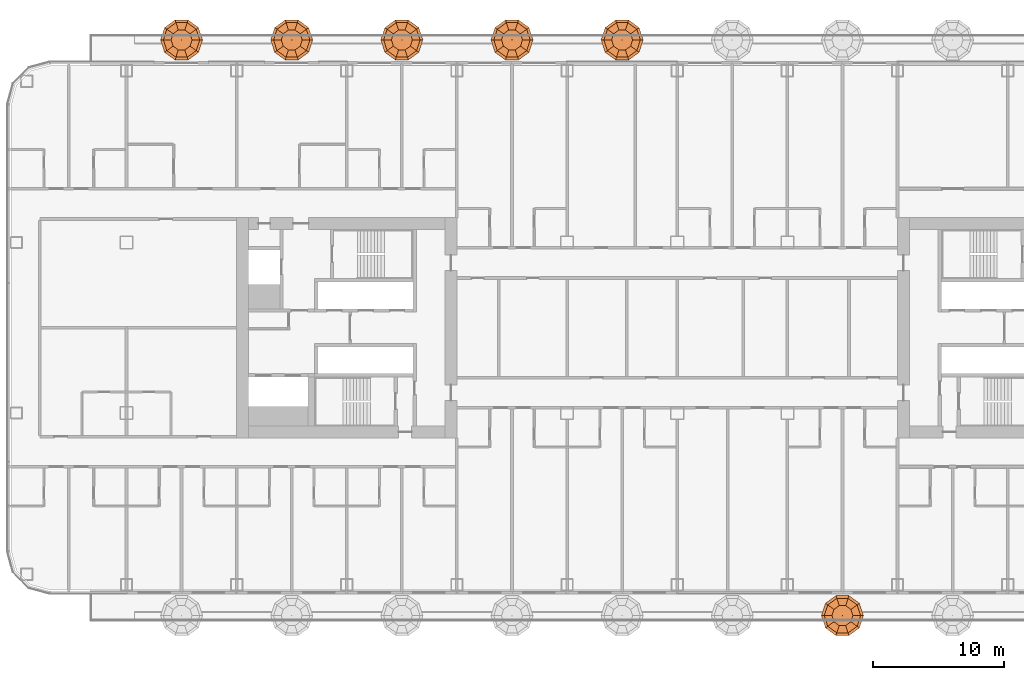
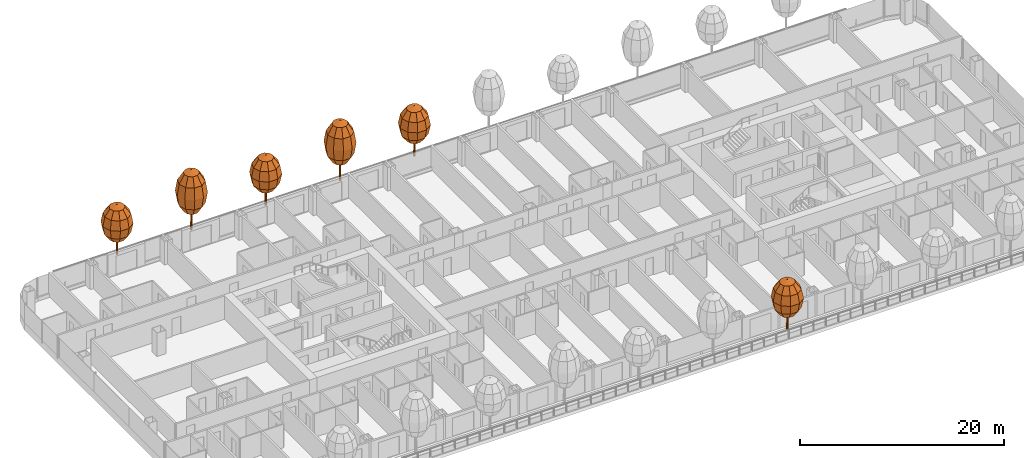
# One storey, part 35 of 37: 6 geographic elements.
"""IFC4 building model written with IfcOpenShell, lengths in metres."""

import ifcopenshell
import ifcopenshell.guid

model = None  # the IFC model being written
_history = None  # IfcOwnerHistory: only IFC2X3 demands one
_inside = {}  # id of a spatial element -> (the spatial element, [elements in it])
_under = {}  # id of a project, library or spatial element -> (it, [spatial elements below it])
_declared = {}  # id of a project -> (the project, [libraries it declares])
_typed = {}  # id of a type object -> (the type object, [elements of that type])
_made_of = {}  # id of a material, layer set ... -> (it, [elements and type objects made of it])


def new_model(schema):
    """Start an empty IFC model of exactly this schema.

    Asked for "IFC4X3", IfcOpenShell would pick the latest addendum, in which some entities
    have other attributes; the version numbers below select the first issue.
    IFC2X3 requires an IfcOwnerHistory on every rooted entity: one is made here for all.
    """
    global model, _history
    if schema == "IFC4X3":
        model = ifcopenshell.file(schema_version=(4, 3, 0, 0))
    else:
        model = ifcopenshell.file(schema=schema)
    _inside.clear()
    _under.clear()
    _declared.clear()
    _typed.clear()
    _made_of.clear()
    _history = None
    if model.schema == "IFC2X3":
        org = make("IfcOrganization", Name="unknown")
        user = make(
            "IfcPersonAndOrganization",
            ThePerson=make("IfcPerson", FamilyName="unknown"),
            TheOrganization=org,
        )
        app = make(
            "IfcApplication",
            ApplicationDeveloper=org,
            Version="unknown",
            ApplicationFullName="unknown",
            ApplicationIdentifier="unknown",
        )
        _history = make(
            "IfcOwnerHistory",
            OwningUser=user,
            OwningApplication=app,
            ChangeAction="ADDED",
            CreationDate=0,
        )
    return model


def make(cls, **values):
    """One entity of the class cls with the attributes given. An attribute that is None is left unset."""
    return model.create_entity(
        cls, **{name: value for name, value in values.items() if value is not None}
    )


def rooted(cls, **values):
    """An entity with a GlobalId (a new one), such as an element, a storey or a relation."""
    return make(cls, GlobalId=ifcopenshell.guid.new(), OwnerHistory=_history, **values)


def si_unit(unit_type, name, prefix=None):
    """IfcSIUnit, for example si_unit("LENGTHUNIT", "METRE", prefix="MILLI")."""
    return make("IfcSIUnit", UnitType=unit_type, Prefix=prefix, Name=name)


def assignment(units):
    """IfcUnitAssignment: the units of a project."""
    return None if units is None else make("IfcUnitAssignment", Units=units)


def point(xyz):
    """IfcCartesianPoint."""
    return None if xyz is None else make("IfcCartesianPoint", Coordinates=xyz)


def direction(xyz):
    """IfcDirection."""
    return None if xyz is None else make("IfcDirection", DirectionRatios=xyz)


def frame(location, z_axis=None, x_axis=None):
    """IfcAxis2Placement3D, a coordinate frame: its origin and axes. An axis left out is left unset."""
    return make(
        "IfcAxis2Placement3D",
        Location=point(location),
        Axis=direction(z_axis),
        RefDirection=direction(x_axis),
    )


def origin():
    """The frame at (0, 0, 0) with its axes left unset."""
    return frame((0.0, 0.0, 0.0))


def place(relative_to, where):
    """IfcLocalPlacement: puts the frame where relative to a parent placement (None: the world)."""
    return make(
        "IfcLocalPlacement", PlacementRelTo=relative_to, RelativePlacement=where
    )


def context(
    kind, dimensions, precision=None, world=None, true_north=None, identifier=None
):
    """IfcGeometricRepresentationContext, for example the 3D "Model" context."""
    return make(
        "IfcGeometricRepresentationContext",
        ContextIdentifier=identifier,
        ContextType=kind,
        CoordinateSpaceDimension=dimensions,
        Precision=precision,
        WorldCoordinateSystem=world,
        TrueNorth=true_north,
    )


def subcontext(parent, identifier, kind, view, scale=None):
    """IfcGeometricRepresentationSubContext, for example "Body" below "Model"."""
    return make(
        "IfcGeometricRepresentationSubContext",
        ContextIdentifier=identifier,
        ContextType=kind,
        ParentContext=parent,
        TargetScale=scale,
        TargetView=view,
    )


def project(units=None, contexts=None):
    """IfcProject with its units and contexts."""
    return rooted(
        "IfcProject",
        Name="project",
        RepresentationContexts=contexts,
        UnitsInContext=assignment(units),
    )


def spatial(cls, under=None, at=None, **own):
    """A site, building, storey or space (cls), placed at a placement, below another one or the project."""
    s = rooted(cls, ObjectPlacement=at, **own)
    if under is not None:
        _under.setdefault(under.id(), (under, []))[1].append(s)
    return s


def point_list(points):
    """IfcCartesianPointList2D or 3D."""
    cls = (
        "IfcCartesianPointList2D" if len(points[0]) == 2 else "IfcCartesianPointList3D"
    )
    return make(cls, CoordList=points)


def triangles(points, corners, closed=None, point_numbers=None):
    """IfcTriangulatedFaceSet: each triangle names its three corners, points numbered from 1."""
    return make(
        "IfcTriangulatedFaceSet",
        Coordinates=point_list(points),
        Closed=closed,
        CoordIndex=corners,
        PnIndex=point_numbers,
    )


def shape(context_of_items, identifier, shape_type, items):
    """IfcShapeRepresentation: the items that make up one representation, for example the "Body"."""
    return make(
        "IfcShapeRepresentation",
        ContextOfItems=context_of_items,
        RepresentationIdentifier=identifier,
        RepresentationType=shape_type,
        Items=items,
    )


def material(Name=None, Category=None):
    """IfcMaterial."""
    return make("IfcMaterial", Name=Name, Category=Category)


def made_of(thing, what):
    """Note that an element or type object is made of a material, layer set ...; save() writes the relation."""
    if what is not None:
        _made_of.setdefault(what.id(), (what, []))[1].append(thing)
    return thing


def type_object(cls, material=None, **own):
    """A type object (cls), such as IfcWallType, which elements share."""
    return made_of(rooted(cls, **own), material)


def element(
    cls,
    number,
    at=None,
    inside=None,
    cuts=None,
    type_object=None,
    material=None,
    context=None,
    identifier="Body",
    shape_type=None,
    held_by="IfcProductDefinitionShape",
    body=None,
    shapes=None,
    **own,
):
    """One element of the class cls, such as IfcWall. Its Tag is "e" and its number.

    at: its placement. inside: the storey or other place that contains it. cuts: it is an
    opening in that element (IfcRelVoidsElement). A single representation is given by context,
    identifier, shape_type and body (its items); several are given by shapes. held_by: the class
    of the entity that holds the representations. save() writes the other relations.
    """
    e = rooted(cls, Tag="e%d" % number, ObjectPlacement=at, **own)
    if body is not None:
        shapes = [shape(context, identifier, shape_type, body)]
    if shapes is not None:
        e.Representation = make(held_by, Representations=shapes)
    if inside is not None:
        _inside.setdefault(inside.id(), (inside, []))[1].append(e)
    if cuts is not None:
        rooted(
            "IfcRelVoidsElement", RelatingBuildingElement=cuts, RelatedOpeningElement=e
        )
    if type_object is not None:
        _typed.setdefault(type_object.id(), (type_object, []))[1].append(e)
    return made_of(e, material)


def aggregate(whole, parts):
    """IfcRelAggregates: a whole, such as a stair, and the parts it consists of."""
    return rooted("IfcRelAggregates", RelatingObject=whole, RelatedObjects=parts)


def save(model, path):
    """Write the relations noted so far, then the file.

    IfcRelAggregates (storeys below a building ...), IfcRelContainedInSpatialStructure (elements
    in a storey), IfcRelDefinesByType, IfcRelAssociatesMaterial and IfcRelDeclares: one each for
    every whole, place, type object, material and project.
    """
    for whole, parts in _under.values():
        aggregate(whole, parts)
    for where, things in _inside.values():
        rooted(
            "IfcRelContainedInSpatialStructure",
            RelatedElements=things,
            RelatingStructure=where,
        )
    for kind, things in _typed.values():
        rooted("IfcRelDefinesByType", RelatedObjects=things, RelatingType=kind)
    for what, things in _made_of.values():
        rooted("IfcRelAssociatesMaterial", RelatedObjects=things, RelatingMaterial=what)
    for by, libraries in _declared.values():
        rooted("IfcRelDeclares", RelatingContext=by, RelatedDefinitions=libraries)
    model.write(path)


model = new_model("IFC4")

# Units and contexts
model_context = context("Model", 3, precision=1e-05, world=origin(), true_north=direction((0.0, 1.0)))
body_context = subcontext(model_context, "Body", "Model", "MODEL_VIEW")
ifc_project = project(units=[si_unit("LENGTHUNIT", "METRE"), si_unit("AREAUNIT", "SQUARE_METRE"), si_unit("VOLUMEUNIT", "CUBIC_METRE"), si_unit("PLANEANGLEUNIT", "RADIAN"), si_unit("MASSUNIT", "GRAM", prefix="KILO")], contexts=[model_context])

# Site, building, storey
site_placement = place(None, origin())
site = spatial("IfcSite", under=ifc_project, at=site_placement, CompositionType="ELEMENT")
building_placement = place(site_placement, origin())
building = spatial("IfcBuilding", under=site, at=building_placement, Name="Hakoniwa Tower and Hamabe Station Hall", CompositionType="ELEMENT")
storey_placement = place(building_placement, frame((0.0, 0.0, 39.0)))
storey = spatial("IfcBuildingStorey", under=building, at=storey_placement, Name="L10", CompositionType="ELEMENT", Elevation=39.0)

# Geographic elements
ifc_material_1 = material(Name="Tree foliage")
geographic_element_type_1 = type_object("IfcGeographicElementType", Name="Japanese maple 7.2 m", PredefinedType="USERDEFINED", material=ifc_material_1)
geographic_element_1_placement = place(storey_placement, frame((-29.39990234375, 21.949951171875, 0.89990234375)))
element("IfcGeographicElement", 1, at=geographic_element_1_placement, inside=storey, type_object=geographic_element_type_1, Name="Japanese maple 7-2 m", ObjectType="TREE", PredefinedType="USERDEFINED", context=body_context, shape_type="Tessellation", body=[
    triangles([(0.125, 0.0, 0.0), (0.08837890625, 0.08837890625, 0.0), (0.0, 0.125, 0.0), (-0.08837890625, 0.08837890625, 0.0), (-0.125, 0.0, 0.0), (-0.08837890625, -0.08837890625, 0.0), (0.0, -0.125, 0.0), (0.08837890625, -0.08837890625, 0.0), (0.074951171875, 0.0, 4.348876953125), (0.052978515625, 0.052978515625, 4.348876953125), (0.0, 0.074951171875, 4.348876953125), (-0.052978515625, 0.052978515625, 4.348876953125), (-0.074951171875, 0.0, 4.348876953125), (-0.052978515625, -0.052978515625, 4.348876953125), (0.0, -0.074951171875, 4.348876953125), (0.052978515625, -0.052978515625, 4.348876953125), (0.0, 0.0, 0.0), (0.0, 0.0, 4.348876953125)], [[1, 2, 10], [1, 10, 9], [17, 2, 1], [18, 9, 10], [2, 3, 11], [2, 11, 10], [17, 3, 2], [18, 10, 11], [3, 4, 12], [3, 12, 11], [17, 4, 3], [18, 11, 12], [4, 5, 13], [4, 13, 12], [17, 5, 4], [18, 12, 13], [5, 6, 14], [5, 14, 13], [17, 6, 5], [18, 13, 14], [6, 7, 15], [6, 15, 14], [17, 7, 6], [18, 14, 15], [7, 8, 16], [7, 16, 15], [17, 8, 7], [18, 15, 16], [8, 1, 9], [8, 9, 16], [17, 1, 8], [18, 16, 9]], closed=True),
    triangles([(0.0, 0.0, 2.015869140625), (0.800048828125, 0.0, 2.36328125), (0.647216796875, 0.47021484375, 2.36328125), (0.247314453125, 0.7607421875, 2.36328125), (-0.247314453125, 0.7607421875, 2.36328125), (-0.647216796875, 0.47021484375, 2.36328125), (-0.800048828125, 0.0, 2.36328125), (-0.647216796875, -0.47021484375, 2.36328125), (-0.247314453125, -0.7607421875, 2.36328125), (0.247314453125, -0.7607421875, 2.36328125), (0.647216796875, -0.47021484375, 2.36328125), (1.385498046875, 0.0, 3.31201171875), (1.12109375, 0.814453125, 3.31201171875), (0.42822265625, 1.31787109375, 3.31201171875), (-0.42822265625, 1.31787109375, 3.31201171875), (-1.12109375, 0.814453125, 3.31201171875), (-1.385498046875, 0.0, 3.31201171875), (-1.12109375, -0.814453125, 3.31201171875), (-0.42822265625, -1.31787109375, 3.31201171875), (0.42822265625, -1.31787109375, 3.31201171875), (1.12109375, -0.814453125, 3.31201171875), (1.60009765625, 0.0, 4.60791015625), (1.29443359375, 0.9404296875, 4.60791015625), (0.494384765625, 1.521728515625, 4.60791015625), (-0.494384765625, 1.521728515625, 4.60791015625), (-1.29443359375, 0.9404296875, 4.60791015625), (-1.60009765625, 0.0, 4.60791015625), (-1.29443359375, -0.9404296875, 4.60791015625), (-0.494384765625, -1.521728515625, 4.60791015625), (0.494384765625, -1.521728515625, 4.60791015625), (1.29443359375, -0.9404296875, 4.60791015625), (1.385498046875, 0.0, 5.904052734375), (1.12109375, 0.814453125, 5.904052734375), (0.42822265625, 1.31787109375, 5.904052734375), (-0.42822265625, 1.31787109375, 5.904052734375), (-1.12109375, 0.814453125, 5.904052734375), (-1.385498046875, 0.0, 5.904052734375), (-1.12109375, -0.814453125, 5.904052734375), (-0.42822265625, -1.31787109375, 5.904052734375), (0.42822265625, -1.31787109375, 5.904052734375), (1.12109375, -0.814453125, 5.904052734375), (0.800048828125, 0.0, 6.852783203125), (0.647216796875, 0.47021484375, 6.852783203125), (0.247314453125, 0.7607421875, 6.852783203125), (-0.247314453125, 0.7607421875, 6.852783203125), (-0.647216796875, 0.47021484375, 6.852783203125), (-0.800048828125, 0.0, 6.852783203125), (-0.647216796875, -0.47021484375, 6.852783203125), (-0.247314453125, -0.7607421875, 6.852783203125), (0.247314453125, -0.7607421875, 6.852783203125), (0.647216796875, -0.47021484375, 6.852783203125), (0.0, 0.0, 7.199951171875)], [[1, 3, 2], [1, 4, 3], [1, 5, 4], [1, 6, 5], [1, 7, 6], [1, 8, 7], [1, 9, 8], [1, 10, 9], [1, 11, 10], [1, 2, 11], [2, 3, 13], [2, 13, 12], [3, 4, 14], [3, 14, 13], [4, 5, 15], [4, 15, 14], [5, 6, 16], [5, 16, 15], [6, 7, 17], [6, 17, 16], [7, 8, 18], [7, 18, 17], [8, 9, 19], [8, 19, 18], [9, 10, 20], [9, 20, 19], [10, 11, 21], [10, 21, 20], [11, 2, 12], [11, 12, 21], [12, 13, 23], [12, 23, 22], [13, 14, 24], [13, 24, 23], [14, 15, 25], [14, 25, 24], [15, 16, 26], [15, 26, 25], [16, 17, 27], [16, 27, 26], [17, 18, 28], [17, 28, 27], [18, 19, 29], [18, 29, 28], [19, 20, 30], [19, 30, 29], [20, 21, 31], [20, 31, 30], [21, 12, 22], [21, 22, 31], [22, 23, 33], [22, 33, 32], [23, 24, 34], [23, 34, 33], [24, 25, 35], [24, 35, 34], [25, 26, 36], [25, 36, 35], [26, 27, 37], [26, 37, 36], [27, 28, 38], [27, 38, 37], [28, 29, 39], [28, 39, 38], [29, 30, 40], [29, 40, 39], [30, 31, 41], [30, 41, 40], [31, 22, 32], [31, 32, 41], [32, 33, 43], [32, 43, 42], [33, 34, 44], [33, 44, 43], [34, 35, 45], [34, 45, 44], [35, 36, 46], [35, 46, 45], [36, 37, 47], [36, 47, 46], [37, 38, 48], [37, 48, 47], [38, 39, 49], [38, 49, 48], [39, 40, 50], [39, 50, 49], [40, 41, 51], [40, 51, 50], [41, 32, 42], [41, 42, 51], [52, 42, 43], [52, 43, 44], [52, 44, 45], [52, 45, 46], [52, 46, 47], [52, 47, 48], [52, 48, 49], [52, 49, 50], [52, 50, 51], [52, 51, 42]], closed=True),
])
geographic_element_2_placement = place(storey_placement, frame((-12.60009765625, 21.949951171875, 0.89990234375)))
element("IfcGeographicElement", 2, at=geographic_element_2_placement, inside=storey, type_object=geographic_element_type_1, Name="Japanese maple 7-2 m", ObjectType="TREE", PredefinedType="USERDEFINED", context=body_context, shape_type="Tessellation", body=[
    triangles([(0.125, 0.0, 0.0), (0.08837890625, 0.08837890625, 0.0), (0.0, 0.125, 0.0), (-0.08837890625, 0.08837890625, 0.0), (-0.125, 0.0, 0.0), (-0.08837890625, -0.08837890625, 0.0), (0.0, -0.125, 0.0), (0.08837890625, -0.08837890625, 0.0), (0.074951171875, 0.0, 4.348876953125), (0.052978515625, 0.052978515625, 4.348876953125), (0.0, 0.074951171875, 4.348876953125), (-0.052978515625, 0.052978515625, 4.348876953125), (-0.074951171875, 0.0, 4.348876953125), (-0.052978515625, -0.052978515625, 4.348876953125), (0.0, -0.074951171875, 4.348876953125), (0.052978515625, -0.052978515625, 4.348876953125), (0.0, 0.0, 0.0), (0.0, 0.0, 4.348876953125)], [[1, 2, 10], [1, 10, 9], [17, 2, 1], [18, 9, 10], [2, 3, 11], [2, 11, 10], [17, 3, 2], [18, 10, 11], [3, 4, 12], [3, 12, 11], [17, 4, 3], [18, 11, 12], [4, 5, 13], [4, 13, 12], [17, 5, 4], [18, 12, 13], [5, 6, 14], [5, 14, 13], [17, 6, 5], [18, 13, 14], [6, 7, 15], [6, 15, 14], [17, 7, 6], [18, 14, 15], [7, 8, 16], [7, 16, 15], [17, 8, 7], [18, 15, 16], [8, 1, 9], [8, 9, 16], [17, 1, 8], [18, 16, 9]], closed=True),
    triangles([(0.0, 0.0, 2.015869140625), (0.800048828125, 0.0, 2.36328125), (0.647216796875, 0.47021484375, 2.36328125), (0.247314453125, 0.7607421875, 2.36328125), (-0.247314453125, 0.7607421875, 2.36328125), (-0.647216796875, 0.47021484375, 2.36328125), (-0.800048828125, 0.0, 2.36328125), (-0.647216796875, -0.47021484375, 2.36328125), (-0.247314453125, -0.7607421875, 2.36328125), (0.247314453125, -0.7607421875, 2.36328125), (0.647216796875, -0.47021484375, 2.36328125), (1.385498046875, 0.0, 3.31201171875), (1.12109375, 0.814453125, 3.31201171875), (0.42822265625, 1.31787109375, 3.31201171875), (-0.42822265625, 1.31787109375, 3.31201171875), (-1.12109375, 0.814453125, 3.31201171875), (-1.385498046875, 0.0, 3.31201171875), (-1.12109375, -0.814453125, 3.31201171875), (-0.42822265625, -1.31787109375, 3.31201171875), (0.42822265625, -1.31787109375, 3.31201171875), (1.12109375, -0.814453125, 3.31201171875), (1.60009765625, 0.0, 4.60791015625), (1.29443359375, 0.9404296875, 4.60791015625), (0.494384765625, 1.521728515625, 4.60791015625), (-0.494384765625, 1.521728515625, 4.60791015625), (-1.29443359375, 0.9404296875, 4.60791015625), (-1.60009765625, 0.0, 4.60791015625), (-1.29443359375, -0.9404296875, 4.60791015625), (-0.494384765625, -1.521728515625, 4.60791015625), (0.494384765625, -1.521728515625, 4.60791015625), (1.29443359375, -0.9404296875, 4.60791015625), (1.385498046875, 0.0, 5.904052734375), (1.12109375, 0.814453125, 5.904052734375), (0.42822265625, 1.31787109375, 5.904052734375), (-0.42822265625, 1.31787109375, 5.904052734375), (-1.12109375, 0.814453125, 5.904052734375), (-1.385498046875, 0.0, 5.904052734375), (-1.12109375, -0.814453125, 5.904052734375), (-0.42822265625, -1.31787109375, 5.904052734375), (0.42822265625, -1.31787109375, 5.904052734375), (1.12109375, -0.814453125, 5.904052734375), (0.800048828125, 0.0, 6.852783203125), (0.647216796875, 0.47021484375, 6.852783203125), (0.247314453125, 0.7607421875, 6.852783203125), (-0.247314453125, 0.7607421875, 6.852783203125), (-0.647216796875, 0.47021484375, 6.852783203125), (-0.800048828125, 0.0, 6.852783203125), (-0.647216796875, -0.47021484375, 6.852783203125), (-0.247314453125, -0.7607421875, 6.852783203125), (0.247314453125, -0.7607421875, 6.852783203125), (0.647216796875, -0.47021484375, 6.852783203125), (0.0, 0.0, 7.199951171875)], [[1, 3, 2], [1, 4, 3], [1, 5, 4], [1, 6, 5], [1, 7, 6], [1, 8, 7], [1, 9, 8], [1, 10, 9], [1, 11, 10], [1, 2, 11], [2, 3, 13], [2, 13, 12], [3, 4, 14], [3, 14, 13], [4, 5, 15], [4, 15, 14], [5, 6, 16], [5, 16, 15], [6, 7, 17], [6, 17, 16], [7, 8, 18], [7, 18, 17], [8, 9, 19], [8, 19, 18], [9, 10, 20], [9, 20, 19], [10, 11, 21], [10, 21, 20], [11, 2, 12], [11, 12, 21], [12, 13, 23], [12, 23, 22], [13, 14, 24], [13, 24, 23], [14, 15, 25], [14, 25, 24], [15, 16, 26], [15, 26, 25], [16, 17, 27], [16, 27, 26], [17, 18, 28], [17, 28, 27], [18, 19, 29], [18, 29, 28], [19, 20, 30], [19, 30, 29], [20, 21, 31], [20, 31, 30], [21, 12, 22], [21, 22, 31], [22, 23, 33], [22, 33, 32], [23, 24, 34], [23, 34, 33], [24, 25, 35], [24, 35, 34], [25, 26, 36], [25, 36, 35], [26, 27, 37], [26, 37, 36], [27, 28, 38], [27, 38, 37], [28, 29, 39], [28, 39, 38], [29, 30, 40], [29, 40, 39], [30, 31, 41], [30, 41, 40], [31, 22, 32], [31, 32, 41], [32, 33, 43], [32, 43, 42], [33, 34, 44], [33, 44, 43], [34, 35, 45], [34, 45, 44], [35, 36, 46], [35, 46, 45], [36, 37, 47], [36, 47, 46], [37, 38, 48], [37, 48, 47], [38, 39, 49], [38, 49, 48], [39, 40, 50], [39, 50, 49], [40, 41, 51], [40, 51, 50], [41, 32, 42], [41, 42, 51], [52, 42, 43], [52, 43, 44], [52, 44, 45], [52, 45, 46], [52, 46, 47], [52, 47, 48], [52, 48, 49], [52, 49, 50], [52, 50, 51], [52, 51, 42]], closed=True),
])
ifc_material_2 = material(Name="Tree foliage")
geographic_element_type_2 = type_object("IfcGeographicElementType", Name="Osmanthus 6.0 m", PredefinedType="USERDEFINED", material=ifc_material_2)
geographic_element_3_placement = place(storey_placement, frame((-37.800048828125, 21.949951171875, 0.89990234375)))
element("IfcGeographicElement", 3, at=geographic_element_3_placement, inside=storey, type_object=geographic_element_type_2, Name="Osmanthus 6-0 m", ObjectType="TREE", PredefinedType="USERDEFINED", context=body_context, shape_type="Tessellation", body=[
    triangles([(0.125, 0.0, 0.0), (0.08837890625, 0.08837890625, 0.0), (0.0, 0.125, 0.0), (-0.08837890625, 0.08837890625, 0.0), (-0.125, 0.0, 0.0), (-0.08837890625, -0.08837890625, 0.0), (0.0, -0.125, 0.0), (0.08837890625, -0.08837890625, 0.0), (0.074951171875, 0.0, 3.6240234375), (0.052978515625, 0.052978515625, 3.6240234375), (0.0, 0.074951171875, 3.6240234375), (-0.052978515625, 0.052978515625, 3.6240234375), (-0.074951171875, 0.0, 3.6240234375), (-0.052978515625, -0.052978515625, 3.6240234375), (0.0, -0.074951171875, 3.6240234375), (0.052978515625, -0.052978515625, 3.6240234375), (0.0, 0.0, 0.0), (0.0, 0.0, 3.6240234375)], [[1, 2, 10], [1, 10, 9], [17, 2, 1], [18, 9, 10], [2, 3, 11], [2, 11, 10], [17, 3, 2], [18, 10, 11], [3, 4, 12], [3, 12, 11], [17, 4, 3], [18, 11, 12], [4, 5, 13], [4, 13, 12], [17, 5, 4], [18, 12, 13], [5, 6, 14], [5, 14, 13], [17, 6, 5], [18, 13, 14], [6, 7, 15], [6, 15, 14], [17, 7, 6], [18, 14, 15], [7, 8, 16], [7, 16, 15], [17, 8, 7], [18, 15, 16], [8, 1, 9], [8, 9, 16], [17, 1, 8], [18, 16, 9]], closed=True),
    triangles([(0.0, 0.0, 1.679931640625), (0.800048828125, 0.0, 1.969482421875), (0.647216796875, 0.47021484375, 1.969482421875), (0.247314453125, 0.7607421875, 1.969482421875), (-0.247314453125, 0.7607421875, 1.969482421875), (-0.647216796875, 0.47021484375, 1.969482421875), (-0.800048828125, 0.0, 1.969482421875), (-0.647216796875, -0.47021484375, 1.969482421875), (-0.247314453125, -0.7607421875, 1.969482421875), (0.247314453125, -0.7607421875, 1.969482421875), (0.647216796875, -0.47021484375, 1.969482421875), (1.385498046875, 0.0, 2.760009765625), (1.12109375, 0.814453125, 2.760009765625), (0.42822265625, 1.31787109375, 2.760009765625), (-0.42822265625, 1.31787109375, 2.760009765625), (-1.12109375, 0.814453125, 2.760009765625), (-1.385498046875, 0.0, 2.760009765625), (-1.12109375, -0.814453125, 2.760009765625), (-0.42822265625, -1.31787109375, 2.760009765625), (0.42822265625, -1.31787109375, 2.760009765625), (1.12109375, -0.814453125, 2.760009765625), (1.60009765625, 0.0, 3.840087890625), (1.29443359375, 0.9404296875, 3.840087890625), (0.494384765625, 1.521728515625, 3.840087890625), (-0.494384765625, 1.521728515625, 3.840087890625), (-1.29443359375, 0.9404296875, 3.840087890625), (-1.60009765625, 0.0, 3.840087890625), (-1.29443359375, -0.9404296875, 3.840087890625), (-0.494384765625, -1.521728515625, 3.840087890625), (0.494384765625, -1.521728515625, 3.840087890625), (1.29443359375, -0.9404296875, 3.840087890625), (1.385498046875, 0.0, 4.919921875), (1.12109375, 0.814453125, 4.919921875), (0.42822265625, 1.31787109375, 4.919921875), (-0.42822265625, 1.31787109375, 4.919921875), (-1.12109375, 0.814453125, 4.919921875), (-1.385498046875, 0.0, 4.919921875), (-1.12109375, -0.814453125, 4.919921875), (-0.42822265625, -1.31787109375, 4.919921875), (0.42822265625, -1.31787109375, 4.919921875), (1.12109375, -0.814453125, 4.919921875), (0.800048828125, 0.0, 5.710693359375), (0.647216796875, 0.47021484375, 5.710693359375), (0.247314453125, 0.7607421875, 5.710693359375), (-0.247314453125, 0.7607421875, 5.710693359375), (-0.647216796875, 0.47021484375, 5.710693359375), (-0.800048828125, 0.0, 5.710693359375), (-0.647216796875, -0.47021484375, 5.710693359375), (-0.247314453125, -0.7607421875, 5.710693359375), (0.247314453125, -0.7607421875, 5.710693359375), (0.647216796875, -0.47021484375, 5.710693359375), (0.0, 0.0, 6.0)], [[1, 3, 2], [1, 4, 3], [1, 5, 4], [1, 6, 5], [1, 7, 6], [1, 8, 7], [1, 9, 8], [1, 10, 9], [1, 11, 10], [1, 2, 11], [2, 3, 13], [2, 13, 12], [3, 4, 14], [3, 14, 13], [4, 5, 15], [4, 15, 14], [5, 6, 16], [5, 16, 15], [6, 7, 17], [6, 17, 16], [7, 8, 18], [7, 18, 17], [8, 9, 19], [8, 19, 18], [9, 10, 20], [9, 20, 19], [10, 11, 21], [10, 21, 20], [11, 2, 12], [11, 12, 21], [12, 13, 23], [12, 23, 22], [13, 14, 24], [13, 24, 23], [14, 15, 25], [14, 25, 24], [15, 16, 26], [15, 26, 25], [16, 17, 27], [16, 27, 26], [17, 18, 28], [17, 28, 27], [18, 19, 29], [18, 29, 28], [19, 20, 30], [19, 30, 29], [20, 21, 31], [20, 31, 30], [21, 12, 22], [21, 22, 31], [22, 23, 33], [22, 33, 32], [23, 24, 34], [23, 34, 33], [24, 25, 35], [24, 35, 34], [25, 26, 36], [25, 36, 35], [26, 27, 37], [26, 37, 36], [27, 28, 38], [27, 38, 37], [28, 29, 39], [28, 39, 38], [29, 30, 40], [29, 40, 39], [30, 31, 41], [30, 41, 40], [31, 22, 32], [31, 32, 41], [32, 33, 43], [32, 43, 42], [33, 34, 44], [33, 44, 43], [34, 35, 45], [34, 45, 44], [35, 36, 46], [35, 46, 45], [36, 37, 47], [36, 47, 46], [37, 38, 48], [37, 48, 47], [38, 39, 49], [38, 49, 48], [39, 40, 50], [39, 50, 49], [40, 41, 51], [40, 51, 50], [41, 32, 42], [41, 42, 51], [52, 42, 43], [52, 43, 44], [52, 44, 45], [52, 45, 46], [52, 46, 47], [52, 47, 48], [52, 48, 49], [52, 49, 50], [52, 50, 51], [52, 51, 42]], closed=True),
])
geographic_element_4_placement = place(storey_placement, frame((-21.0, 21.949951171875, 0.89990234375)))
element("IfcGeographicElement", 4, at=geographic_element_4_placement, inside=storey, type_object=geographic_element_type_2, Name="Osmanthus 6-0 m", ObjectType="TREE", PredefinedType="USERDEFINED", context=body_context, shape_type="Tessellation", body=[
    triangles([(0.125, 0.0, 0.0), (0.08837890625, 0.08837890625, 0.0), (0.0, 0.125, 0.0), (-0.08837890625, 0.08837890625, 0.0), (-0.125, 0.0, 0.0), (-0.08837890625, -0.08837890625, 0.0), (0.0, -0.125, 0.0), (0.08837890625, -0.08837890625, 0.0), (0.074951171875, 0.0, 3.6240234375), (0.052978515625, 0.052978515625, 3.6240234375), (0.0, 0.074951171875, 3.6240234375), (-0.052978515625, 0.052978515625, 3.6240234375), (-0.074951171875, 0.0, 3.6240234375), (-0.052978515625, -0.052978515625, 3.6240234375), (0.0, -0.074951171875, 3.6240234375), (0.052978515625, -0.052978515625, 3.6240234375), (0.0, 0.0, 0.0), (0.0, 0.0, 3.6240234375)], [[1, 2, 10], [1, 10, 9], [17, 2, 1], [18, 9, 10], [2, 3, 11], [2, 11, 10], [17, 3, 2], [18, 10, 11], [3, 4, 12], [3, 12, 11], [17, 4, 3], [18, 11, 12], [4, 5, 13], [4, 13, 12], [17, 5, 4], [18, 12, 13], [5, 6, 14], [5, 14, 13], [17, 6, 5], [18, 13, 14], [6, 7, 15], [6, 15, 14], [17, 7, 6], [18, 14, 15], [7, 8, 16], [7, 16, 15], [17, 8, 7], [18, 15, 16], [8, 1, 9], [8, 9, 16], [17, 1, 8], [18, 16, 9]], closed=True),
    triangles([(0.0, 0.0, 1.679931640625), (0.800048828125, 0.0, 1.969482421875), (0.647216796875, 0.47021484375, 1.969482421875), (0.247314453125, 0.7607421875, 1.969482421875), (-0.247314453125, 0.7607421875, 1.969482421875), (-0.647216796875, 0.47021484375, 1.969482421875), (-0.800048828125, 0.0, 1.969482421875), (-0.647216796875, -0.47021484375, 1.969482421875), (-0.247314453125, -0.7607421875, 1.969482421875), (0.247314453125, -0.7607421875, 1.969482421875), (0.647216796875, -0.47021484375, 1.969482421875), (1.385498046875, 0.0, 2.760009765625), (1.12109375, 0.814453125, 2.760009765625), (0.42822265625, 1.31787109375, 2.760009765625), (-0.42822265625, 1.31787109375, 2.760009765625), (-1.12109375, 0.814453125, 2.760009765625), (-1.385498046875, 0.0, 2.760009765625), (-1.12109375, -0.814453125, 2.760009765625), (-0.42822265625, -1.31787109375, 2.760009765625), (0.42822265625, -1.31787109375, 2.760009765625), (1.12109375, -0.814453125, 2.760009765625), (1.60009765625, 0.0, 3.840087890625), (1.29443359375, 0.9404296875, 3.840087890625), (0.494384765625, 1.521728515625, 3.840087890625), (-0.494384765625, 1.521728515625, 3.840087890625), (-1.29443359375, 0.9404296875, 3.840087890625), (-1.60009765625, 0.0, 3.840087890625), (-1.29443359375, -0.9404296875, 3.840087890625), (-0.494384765625, -1.521728515625, 3.840087890625), (0.494384765625, -1.521728515625, 3.840087890625), (1.29443359375, -0.9404296875, 3.840087890625), (1.385498046875, 0.0, 4.919921875), (1.12109375, 0.814453125, 4.919921875), (0.42822265625, 1.31787109375, 4.919921875), (-0.42822265625, 1.31787109375, 4.919921875), (-1.12109375, 0.814453125, 4.919921875), (-1.385498046875, 0.0, 4.919921875), (-1.12109375, -0.814453125, 4.919921875), (-0.42822265625, -1.31787109375, 4.919921875), (0.42822265625, -1.31787109375, 4.919921875), (1.12109375, -0.814453125, 4.919921875), (0.800048828125, 0.0, 5.710693359375), (0.647216796875, 0.47021484375, 5.710693359375), (0.247314453125, 0.7607421875, 5.710693359375), (-0.247314453125, 0.7607421875, 5.710693359375), (-0.647216796875, 0.47021484375, 5.710693359375), (-0.800048828125, 0.0, 5.710693359375), (-0.647216796875, -0.47021484375, 5.710693359375), (-0.247314453125, -0.7607421875, 5.710693359375), (0.247314453125, -0.7607421875, 5.710693359375), (0.647216796875, -0.47021484375, 5.710693359375), (0.0, 0.0, 6.0)], [[1, 3, 2], [1, 4, 3], [1, 5, 4], [1, 6, 5], [1, 7, 6], [1, 8, 7], [1, 9, 8], [1, 10, 9], [1, 11, 10], [1, 2, 11], [2, 3, 13], [2, 13, 12], [3, 4, 14], [3, 14, 13], [4, 5, 15], [4, 15, 14], [5, 6, 16], [5, 16, 15], [6, 7, 17], [6, 17, 16], [7, 8, 18], [7, 18, 17], [8, 9, 19], [8, 19, 18], [9, 10, 20], [9, 20, 19], [10, 11, 21], [10, 21, 20], [11, 2, 12], [11, 12, 21], [12, 13, 23], [12, 23, 22], [13, 14, 24], [13, 24, 23], [14, 15, 25], [14, 25, 24], [15, 16, 26], [15, 26, 25], [16, 17, 27], [16, 27, 26], [17, 18, 28], [17, 28, 27], [18, 19, 29], [18, 29, 28], [19, 20, 30], [19, 30, 29], [20, 21, 31], [20, 31, 30], [21, 12, 22], [21, 22, 31], [22, 23, 33], [22, 33, 32], [23, 24, 34], [23, 34, 33], [24, 25, 35], [24, 35, 34], [25, 26, 36], [25, 36, 35], [26, 27, 37], [26, 37, 36], [27, 28, 38], [27, 38, 37], [28, 29, 39], [28, 39, 38], [29, 30, 40], [29, 40, 39], [30, 31, 41], [30, 41, 40], [31, 22, 32], [31, 32, 41], [32, 33, 43], [32, 43, 42], [33, 34, 44], [33, 44, 43], [34, 35, 45], [34, 45, 44], [35, 36, 46], [35, 46, 45], [36, 37, 47], [36, 47, 46], [37, 38, 48], [37, 48, 47], [38, 39, 49], [38, 49, 48], [39, 40, 50], [39, 50, 49], [40, 41, 51], [40, 51, 50], [41, 32, 42], [41, 42, 51], [52, 42, 43], [52, 43, 44], [52, 44, 45], [52, 45, 46], [52, 46, 47], [52, 47, 48], [52, 48, 49], [52, 49, 50], [52, 50, 51], [52, 51, 42]], closed=True),
])
geographic_element_5_placement = place(storey_placement, frame((-4.199951171875, 21.949951171875, 0.89990234375)))
element("IfcGeographicElement", 5, at=geographic_element_5_placement, inside=storey, type_object=geographic_element_type_2, Name="Osmanthus 6-0 m", ObjectType="TREE", PredefinedType="USERDEFINED", context=body_context, shape_type="Tessellation", body=[
    triangles([(0.125, 0.0, 0.0), (0.08837890625, 0.08837890625, 0.0), (0.0, 0.125, 0.0), (-0.08837890625, 0.08837890625, 0.0), (-0.125, 0.0, 0.0), (-0.08837890625, -0.08837890625, 0.0), (0.0, -0.125, 0.0), (0.08837890625, -0.08837890625, 0.0), (0.074951171875, 0.0, 3.6240234375), (0.052978515625, 0.052978515625, 3.6240234375), (0.0, 0.074951171875, 3.6240234375), (-0.052978515625, 0.052978515625, 3.6240234375), (-0.074951171875, 0.0, 3.6240234375), (-0.052978515625, -0.052978515625, 3.6240234375), (0.0, -0.074951171875, 3.6240234375), (0.052978515625, -0.052978515625, 3.6240234375), (0.0, 0.0, 0.0), (0.0, 0.0, 3.6240234375)], [[1, 2, 10], [1, 10, 9], [17, 2, 1], [18, 9, 10], [2, 3, 11], [2, 11, 10], [17, 3, 2], [18, 10, 11], [3, 4, 12], [3, 12, 11], [17, 4, 3], [18, 11, 12], [4, 5, 13], [4, 13, 12], [17, 5, 4], [18, 12, 13], [5, 6, 14], [5, 14, 13], [17, 6, 5], [18, 13, 14], [6, 7, 15], [6, 15, 14], [17, 7, 6], [18, 14, 15], [7, 8, 16], [7, 16, 15], [17, 8, 7], [18, 15, 16], [8, 1, 9], [8, 9, 16], [17, 1, 8], [18, 16, 9]], closed=True),
    triangles([(0.0, 0.0, 1.679931640625), (0.800048828125, 0.0, 1.969482421875), (0.647216796875, 0.47021484375, 1.969482421875), (0.247314453125, 0.7607421875, 1.969482421875), (-0.247314453125, 0.7607421875, 1.969482421875), (-0.647216796875, 0.47021484375, 1.969482421875), (-0.800048828125, 0.0, 1.969482421875), (-0.647216796875, -0.47021484375, 1.969482421875), (-0.247314453125, -0.7607421875, 1.969482421875), (0.247314453125, -0.7607421875, 1.969482421875), (0.647216796875, -0.47021484375, 1.969482421875), (1.385498046875, 0.0, 2.760009765625), (1.12109375, 0.814453125, 2.760009765625), (0.42822265625, 1.31787109375, 2.760009765625), (-0.42822265625, 1.31787109375, 2.760009765625), (-1.12109375, 0.814453125, 2.760009765625), (-1.385498046875, 0.0, 2.760009765625), (-1.12109375, -0.814453125, 2.760009765625), (-0.42822265625, -1.31787109375, 2.760009765625), (0.42822265625, -1.31787109375, 2.760009765625), (1.12109375, -0.814453125, 2.760009765625), (1.60009765625, 0.0, 3.840087890625), (1.29443359375, 0.9404296875, 3.840087890625), (0.494384765625, 1.521728515625, 3.840087890625), (-0.494384765625, 1.521728515625, 3.840087890625), (-1.29443359375, 0.9404296875, 3.840087890625), (-1.60009765625, 0.0, 3.840087890625), (-1.29443359375, -0.9404296875, 3.840087890625), (-0.494384765625, -1.521728515625, 3.840087890625), (0.494384765625, -1.521728515625, 3.840087890625), (1.29443359375, -0.9404296875, 3.840087890625), (1.385498046875, 0.0, 4.919921875), (1.12109375, 0.814453125, 4.919921875), (0.42822265625, 1.31787109375, 4.919921875), (-0.42822265625, 1.31787109375, 4.919921875), (-1.12109375, 0.814453125, 4.919921875), (-1.385498046875, 0.0, 4.919921875), (-1.12109375, -0.814453125, 4.919921875), (-0.42822265625, -1.31787109375, 4.919921875), (0.42822265625, -1.31787109375, 4.919921875), (1.12109375, -0.814453125, 4.919921875), (0.800048828125, 0.0, 5.710693359375), (0.647216796875, 0.47021484375, 5.710693359375), (0.247314453125, 0.7607421875, 5.710693359375), (-0.247314453125, 0.7607421875, 5.710693359375), (-0.647216796875, 0.47021484375, 5.710693359375), (-0.800048828125, 0.0, 5.710693359375), (-0.647216796875, -0.47021484375, 5.710693359375), (-0.247314453125, -0.7607421875, 5.710693359375), (0.247314453125, -0.7607421875, 5.710693359375), (0.647216796875, -0.47021484375, 5.710693359375), (0.0, 0.0, 6.0)], [[1, 3, 2], [1, 4, 3], [1, 5, 4], [1, 6, 5], [1, 7, 6], [1, 8, 7], [1, 9, 8], [1, 10, 9], [1, 11, 10], [1, 2, 11], [2, 3, 13], [2, 13, 12], [3, 4, 14], [3, 14, 13], [4, 5, 15], [4, 15, 14], [5, 6, 16], [5, 16, 15], [6, 7, 17], [6, 17, 16], [7, 8, 18], [7, 18, 17], [8, 9, 19], [8, 19, 18], [9, 10, 20], [9, 20, 19], [10, 11, 21], [10, 21, 20], [11, 2, 12], [11, 12, 21], [12, 13, 23], [12, 23, 22], [13, 14, 24], [13, 24, 23], [14, 15, 25], [14, 25, 24], [15, 16, 26], [15, 26, 25], [16, 17, 27], [16, 27, 26], [17, 18, 28], [17, 28, 27], [18, 19, 29], [18, 29, 28], [19, 20, 30], [19, 30, 29], [20, 21, 31], [20, 31, 30], [21, 12, 22], [21, 22, 31], [22, 23, 33], [22, 33, 32], [23, 24, 34], [23, 34, 33], [24, 25, 35], [24, 35, 34], [25, 26, 36], [25, 36, 35], [26, 27, 37], [26, 37, 36], [27, 28, 38], [27, 38, 37], [28, 29, 39], [28, 39, 38], [29, 30, 40], [29, 40, 39], [30, 31, 41], [30, 41, 40], [31, 22, 32], [31, 32, 41], [32, 33, 43], [32, 43, 42], [33, 34, 44], [33, 44, 43], [34, 35, 45], [34, 45, 44], [35, 36, 46], [35, 46, 45], [36, 37, 47], [36, 47, 46], [37, 38, 48], [37, 48, 47], [38, 39, 49], [38, 49, 48], [39, 40, 50], [39, 50, 49], [40, 41, 51], [40, 51, 50], [41, 32, 42], [41, 42, 51], [52, 42, 43], [52, 43, 44], [52, 44, 45], [52, 45, 46], [52, 46, 47], [52, 47, 48], [52, 48, 49], [52, 49, 50], [52, 50, 51], [52, 51, 42]], closed=True),
])
geographic_element_6_placement = place(storey_placement, frame((12.60009765625, -21.949951171875, 0.89990234375)))
element("IfcGeographicElement", 6, at=geographic_element_6_placement, inside=storey, type_object=geographic_element_type_2, Name="Osmanthus 6-0 m", ObjectType="TREE", PredefinedType="USERDEFINED", context=body_context, shape_type="Tessellation", body=[
    triangles([(0.125, 0.0, 0.0), (0.08837890625, 0.08837890625, 0.0), (0.0, 0.125, 0.0), (-0.08837890625, 0.08837890625, 0.0), (-0.125, 0.0, 0.0), (-0.08837890625, -0.08837890625, 0.0), (0.0, -0.125, 0.0), (0.08837890625, -0.08837890625, 0.0), (0.074951171875, 0.0, 3.6240234375), (0.052978515625, 0.052978515625, 3.6240234375), (0.0, 0.074951171875, 3.6240234375), (-0.052978515625, 0.052978515625, 3.6240234375), (-0.074951171875, 0.0, 3.6240234375), (-0.052978515625, -0.052978515625, 3.6240234375), (0.0, -0.074951171875, 3.6240234375), (0.052978515625, -0.052978515625, 3.6240234375), (0.0, 0.0, 0.0), (0.0, 0.0, 3.6240234375)], [[1, 2, 10], [1, 10, 9], [17, 2, 1], [18, 9, 10], [2, 3, 11], [2, 11, 10], [17, 3, 2], [18, 10, 11], [3, 4, 12], [3, 12, 11], [17, 4, 3], [18, 11, 12], [4, 5, 13], [4, 13, 12], [17, 5, 4], [18, 12, 13], [5, 6, 14], [5, 14, 13], [17, 6, 5], [18, 13, 14], [6, 7, 15], [6, 15, 14], [17, 7, 6], [18, 14, 15], [7, 8, 16], [7, 16, 15], [17, 8, 7], [18, 15, 16], [8, 1, 9], [8, 9, 16], [17, 1, 8], [18, 16, 9]], closed=True),
    triangles([(0.0, 0.0, 1.679931640625), (0.800048828125, 0.0, 1.969482421875), (0.647216796875, 0.47021484375, 1.969482421875), (0.247314453125, 0.7607421875, 1.969482421875), (-0.247314453125, 0.7607421875, 1.969482421875), (-0.647216796875, 0.47021484375, 1.969482421875), (-0.800048828125, 0.0, 1.969482421875), (-0.647216796875, -0.47021484375, 1.969482421875), (-0.247314453125, -0.7607421875, 1.969482421875), (0.247314453125, -0.7607421875, 1.969482421875), (0.647216796875, -0.47021484375, 1.969482421875), (1.385498046875, 0.0, 2.760009765625), (1.12109375, 0.814453125, 2.760009765625), (0.42822265625, 1.31787109375, 2.760009765625), (-0.42822265625, 1.31787109375, 2.760009765625), (-1.12109375, 0.814453125, 2.760009765625), (-1.385498046875, 0.0, 2.760009765625), (-1.12109375, -0.814453125, 2.760009765625), (-0.42822265625, -1.31787109375, 2.760009765625), (0.42822265625, -1.31787109375, 2.760009765625), (1.12109375, -0.814453125, 2.760009765625), (1.60009765625, 0.0, 3.840087890625), (1.29443359375, 0.9404296875, 3.840087890625), (0.494384765625, 1.521728515625, 3.840087890625), (-0.494384765625, 1.521728515625, 3.840087890625), (-1.29443359375, 0.9404296875, 3.840087890625), (-1.60009765625, 0.0, 3.840087890625), (-1.29443359375, -0.9404296875, 3.840087890625), (-0.494384765625, -1.521728515625, 3.840087890625), (0.494384765625, -1.521728515625, 3.840087890625), (1.29443359375, -0.9404296875, 3.840087890625), (1.385498046875, 0.0, 4.919921875), (1.12109375, 0.814453125, 4.919921875), (0.42822265625, 1.31787109375, 4.919921875), (-0.42822265625, 1.31787109375, 4.919921875), (-1.12109375, 0.814453125, 4.919921875), (-1.385498046875, 0.0, 4.919921875), (-1.12109375, -0.814453125, 4.919921875), (-0.42822265625, -1.31787109375, 4.919921875), (0.42822265625, -1.31787109375, 4.919921875), (1.12109375, -0.814453125, 4.919921875), (0.800048828125, 0.0, 5.710693359375), (0.647216796875, 0.47021484375, 5.710693359375), (0.247314453125, 0.7607421875, 5.710693359375), (-0.247314453125, 0.7607421875, 5.710693359375), (-0.647216796875, 0.47021484375, 5.710693359375), (-0.800048828125, 0.0, 5.710693359375), (-0.647216796875, -0.47021484375, 5.710693359375), (-0.247314453125, -0.7607421875, 5.710693359375), (0.247314453125, -0.7607421875, 5.710693359375), (0.647216796875, -0.47021484375, 5.710693359375), (0.0, 0.0, 6.0)], [[1, 3, 2], [1, 4, 3], [1, 5, 4], [1, 6, 5], [1, 7, 6], [1, 8, 7], [1, 9, 8], [1, 10, 9], [1, 11, 10], [1, 2, 11], [2, 3, 13], [2, 13, 12], [3, 4, 14], [3, 14, 13], [4, 5, 15], [4, 15, 14], [5, 6, 16], [5, 16, 15], [6, 7, 17], [6, 17, 16], [7, 8, 18], [7, 18, 17], [8, 9, 19], [8, 19, 18], [9, 10, 20], [9, 20, 19], [10, 11, 21], [10, 21, 20], [11, 2, 12], [11, 12, 21], [12, 13, 23], [12, 23, 22], [13, 14, 24], [13, 24, 23], [14, 15, 25], [14, 25, 24], [15, 16, 26], [15, 26, 25], [16, 17, 27], [16, 27, 26], [17, 18, 28], [17, 28, 27], [18, 19, 29], [18, 29, 28], [19, 20, 30], [19, 30, 29], [20, 21, 31], [20, 31, 30], [21, 12, 22], [21, 22, 31], [22, 23, 33], [22, 33, 32], [23, 24, 34], [23, 34, 33], [24, 25, 35], [24, 35, 34], [25, 26, 36], [25, 36, 35], [26, 27, 37], [26, 37, 36], [27, 28, 38], [27, 38, 37], [28, 29, 39], [28, 39, 38], [29, 30, 40], [29, 40, 39], [30, 31, 41], [30, 41, 40], [31, 22, 32], [31, 32, 41], [32, 33, 43], [32, 43, 42], [33, 34, 44], [33, 44, 43], [34, 35, 45], [34, 45, 44], [35, 36, 46], [35, 46, 45], [36, 37, 47], [36, 47, 46], [37, 38, 48], [37, 48, 47], [38, 39, 49], [38, 49, 48], [39, 40, 50], [39, 50, 49], [40, 41, 51], [40, 51, 50], [41, 32, 42], [41, 42, 51], [52, 42, 43], [52, 43, 44], [52, 44, 45], [52, 45, 46], [52, 46, 47], [52, 47, 48], [52, 48, 49], [52, 49, 50], [52, 50, 51], [52, 51, 42]], closed=True),
])

save(model, "model.ifc")
